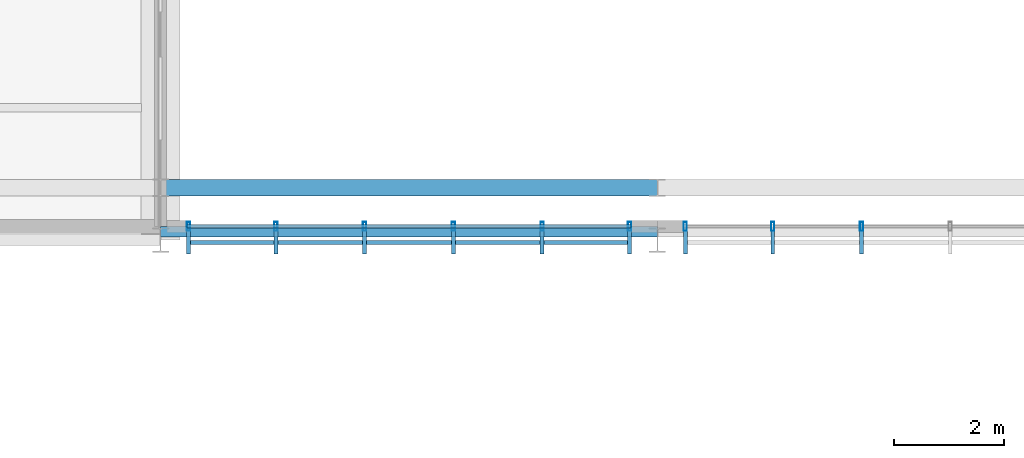
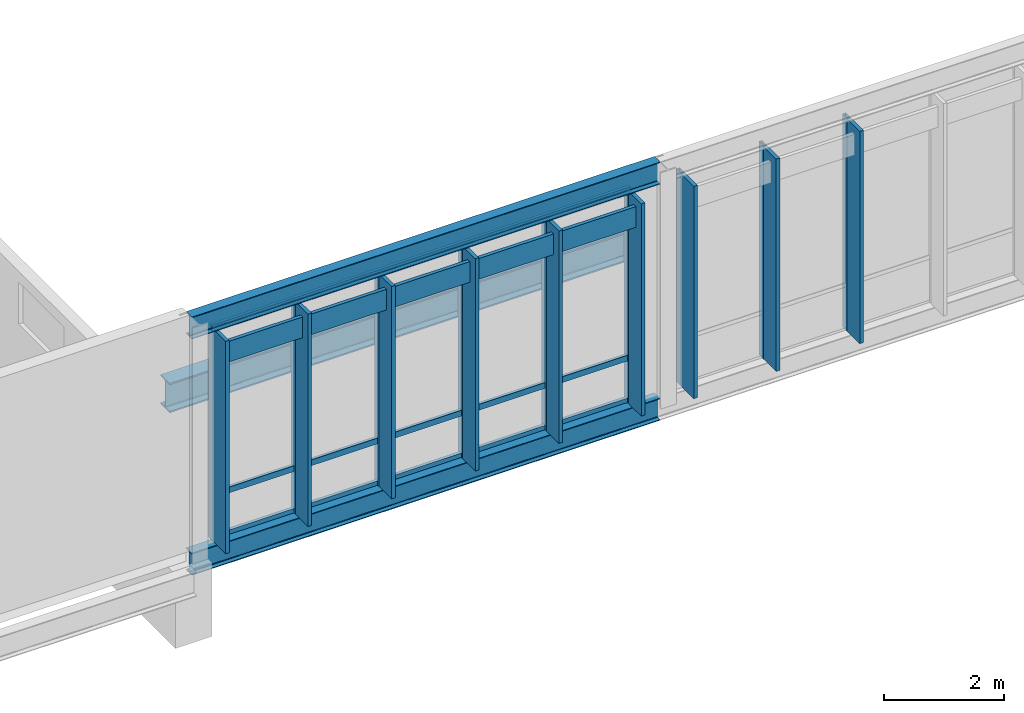
# One storey, part 93 of 177: 22 members, 3 beams, 2 elements without a shape of their own.
"""IFC4 building model written with IfcOpenShell, lengths in metres."""

from ifc_helpers import new_model, si_unit, direction, frame, origin, origin_2d, place, context, subcontext, project, spatial, rectangle, hollow_rectangle, i_section, extrude, material, material_profile, profile_set, type_object, element, aggregate, save


model = new_model("IFC4")

# Units and contexts
model_context = context("Model", 3, precision=1e-05, world=origin(), true_north=direction((0.0, 1.0)))
body_context = subcontext(model_context, "Body", "Model", "MODEL_VIEW")
ifc_project = project(units=[si_unit("LENGTHUNIT", "METRE"), si_unit("AREAUNIT", "SQUARE_METRE"), si_unit("VOLUMEUNIT", "CUBIC_METRE"), si_unit("PLANEANGLEUNIT", "RADIAN"), si_unit("MASSUNIT", "GRAM", prefix="KILO")], contexts=[model_context])

# Site, building, storey
site_placement = place(None, origin())
site = spatial("IfcSite", under=ifc_project, at=site_placement, CompositionType="ELEMENT")
building_placement = place(site_placement, origin())
building = spatial("IfcBuilding", under=site, at=building_placement, Name="Chiffa Square Polytechnic", CompositionType="ELEMENT")
storey_placement = place(building_placement, frame((0.0, 0.0, 4.800048828125)))
storey = spatial("IfcBuildingStorey", under=building, at=storey_placement, Name="L01", CompositionType="ELEMENT", Elevation=4.800048828125)

# Beams
ifc_material_1 = material(Name="Steel S355", Category="steel")
ifc_material_profile_1 = material_profile(ifc_material_1, i_section(OverallWidth=0.18994140625, OverallDepth=0.449951171875, WebThickness=0.009521484375, FlangeThickness=0.0146484375, FilletRadius=0.02099609375, at=origin_2d()), Name="IPE 450")
ifc_profile_set_1 = profile_set([ifc_material_profile_1], Name="Steel S355")
beam_type_1 = type_object("IfcBeamType", Name="BM-STL-IPE450", PredefinedType="BEAM", material=ifc_profile_set_1)
for number, where, z_axis, x_axis, name in (
    (1, (130.199951171875, 58.35009765625, -0.22509765625), (1.0, 0.0, 0.0), (0.0, 1.0, 0.0), "Workshop south clerestory sill girder BM-V2-STIE-L01-1"),
    (2, (130.199951171875, 58.35009765625, 4.574951171875), (1.0, 0.0, 0.0), (0.0, 1.0, 0.0), "Workshop south eave tie girder BM-V2-STIE-L02-1"),
):
    element("IfcBeam", number, at=place(storey_placement, frame(where, z_axis=z_axis, x_axis=x_axis)), inside=storey, type_object=beam_type_1, Name=name, PredefinedType="BEAM", context=body_context, shape_type="SweptSolid", body=[
        extrude(i_section(OverallWidth=0.18994140625, OverallDepth=0.449951171875, WebThickness=0.009521484375, FlangeThickness=0.0146484375, FilletRadius=0.02099609375, at=origin_2d()), origin(), (0.0, 0.0, 1.0), 9.0),
    ])
ifc_material_profile_2 = material_profile(ifc_material_1, i_section(OverallWidth=0.300048828125, OverallDepth=0.60009765625, WebThickness=0.015380859375, FlangeThickness=0.030029296875, FilletRadius=0.027099609375, at=origin_2d()), Name="HEB 600")
ifc_profile_set_2 = profile_set([ifc_material_profile_2], Name="Steel S355")
beam_type_2 = type_object("IfcBeamType", Name="CG-STL-HEB600", PredefinedType="USERDEFINED", material=ifc_profile_set_2)
beam_placement = place(storey_placement, frame((130.199951171875, 59.14990234375, 2.699951171875), z_axis=(1.0, 0.0, 0.0), x_axis=(0.0, 1.0, 0.0)))
element("IfcBeam", 3, at=beam_placement, inside=storey, type_object=beam_type_2, Name="Bridge crane runway girder CG-V2-L01-S03", ObjectType="CRANE GIRDER", PredefinedType="USERDEFINED", context=body_context, shape_type="SweptSolid", body=[
    extrude(i_section(OverallWidth=0.300048828125, OverallDepth=0.60009765625, WebThickness=0.015380859375, FlangeThickness=0.030029296875, FilletRadius=0.027099609375, at=origin_2d()), origin(), (0.0, 0.0, 1.0), 9.0),
])

# Curtain wall, members
ifc_material_2 = material(Name="Aluminium EN AW-6060 T66 and glulam shading", Category="wood")
curtain_wall_type_1 = type_object("IfcCurtainWallType", Name="CW-VERT-600X440", PredefinedType="USERDEFINED", material=ifc_material_2)
curtain_wall_1_placement = place(storey_placement, origin())
curtain_wall_1 = element("IfcCurtainWall", 4, at=curtain_wall_1_placement, inside=storey, type_object=curtain_wall_type_1, Name="Curtain wall CW-V2-L01S-01", ObjectType="CURTAIN WALL", PredefinedType="USERDEFINED")
ifc_material_3 = material(Name="Aluminium EN AW-6060 T66", Category="aluminium")
ifc_material_profile_3 = material_profile(ifc_material_3, hollow_rectangle(XDim=0.06005859375, YDim=0.159912109375, WallThickness=0.00390625, at=origin_2d()), Name="ALU 60x160x4")
ifc_profile_set_3 = profile_set([ifc_material_profile_3], Name="Aluminium EN AW-6060 T66")
member_type_1 = type_object("IfcMemberType", Name="CWM-ALU-65X150", PredefinedType="MULLION", material=ifc_profile_set_3)
member_1_placement = place(storey_placement, frame((130.705078125, 58.449951171875, 0.0), z_axis=(0.0, 0.0, 1.0), x_axis=(1.0, 0.0, 0.0)))
member_1 = element("IfcMember", 5, at=member_1_placement, type_object=member_type_1, Name="Curtain wall mullion CW-V2-L01S-01-M00", PredefinedType="MULLION", context=body_context, shape_type="SweptSolid", body=[
    extrude(hollow_rectangle(XDim=0.06005859375, YDim=0.159912109375, WallThickness=0.00390625, at=origin_2d()), origin(), (0.0, 0.0, 1.0), 4.3349609375),
])
member_2_placement = place(storey_placement, frame((132.2880859375, 58.449951171875, 0.0), z_axis=(0.0, 0.0, 1.0), x_axis=(1.0, 0.0, 0.0)))
member_2 = element("IfcMember", 6, at=member_2_placement, type_object=member_type_1, Name="Curtain wall mullion CW-V2-L01S-01-M01", PredefinedType="MULLION", context=body_context, shape_type="SweptSolid", body=[
    extrude(hollow_rectangle(XDim=0.06005859375, YDim=0.159912109375, WallThickness=0.00390625, at=origin_2d()), origin(), (0.0, 0.0, 1.0), 4.3349609375),
])
member_3_placement = place(storey_placement, frame((133.89599609375, 58.449951171875, 0.0), z_axis=(0.0, 0.0, 1.0), x_axis=(1.0, 0.0, 0.0)))
member_3 = element("IfcMember", 7, at=member_3_placement, type_object=member_type_1, Name="Curtain wall mullion CW-V2-L01S-01-M02", PredefinedType="MULLION", context=body_context, shape_type="SweptSolid", body=[
    extrude(hollow_rectangle(XDim=0.06005859375, YDim=0.159912109375, WallThickness=0.00390625, at=origin_2d()), origin(), (0.0, 0.0, 1.0), 4.3349609375),
])
member_4_placement = place(storey_placement, frame((135.50390625, 58.449951171875, 0.0), z_axis=(0.0, 0.0, 1.0), x_axis=(1.0, 0.0, 0.0)))
member_4 = element("IfcMember", 8, at=member_4_placement, type_object=member_type_1, Name="Curtain wall mullion CW-V2-L01S-01-M03", PredefinedType="MULLION", context=body_context, shape_type="SweptSolid", body=[
    extrude(hollow_rectangle(XDim=0.06005859375, YDim=0.159912109375, WallThickness=0.00390625, at=origin_2d()), origin(), (0.0, 0.0, 1.0), 4.3349609375),
])
member_5_placement = place(storey_placement, frame((137.112060546875, 58.449951171875, 0.0), z_axis=(0.0, 0.0, 1.0), x_axis=(1.0, 0.0, 0.0)))
member_5 = element("IfcMember", 9, at=member_5_placement, type_object=member_type_1, Name="Curtain wall mullion CW-V2-L01S-01-M04", PredefinedType="MULLION", context=body_context, shape_type="SweptSolid", body=[
    extrude(hollow_rectangle(XDim=0.06005859375, YDim=0.159912109375, WallThickness=0.00390625, at=origin_2d()), origin(), (0.0, 0.0, 1.0), 4.3349609375),
])
member_6_placement = place(storey_placement, frame((138.695068359375, 58.449951171875, 0.0), z_axis=(0.0, 0.0, 1.0), x_axis=(1.0, 0.0, 0.0)))
member_6 = element("IfcMember", 10, at=member_6_placement, type_object=member_type_1, Name="Curtain wall mullion CW-V2-L01S-01-M05", PredefinedType="MULLION", context=body_context, shape_type="SweptSolid", body=[
    extrude(hollow_rectangle(XDim=0.06005859375, YDim=0.159912109375, WallThickness=0.00390625, at=origin_2d()), origin(), (0.0, 0.0, 1.0), 4.3349609375),
])

curtain_wall_type_2 = type_object("IfcCurtainWallType", Name="CW-VERT-450X380", PredefinedType="USERDEFINED", material=ifc_material_2)
curtain_wall_2_placement = place(storey_placement, origin())
curtain_wall_2 = element("IfcCurtainWall", 11, at=curtain_wall_2_placement, inside=storey, type_object=curtain_wall_type_2, Name="Curtain wall CW-V2-L01S-02", ObjectType="CURTAIN WALL", PredefinedType="USERDEFINED")
member_7_placement = place(storey_placement, frame((139.705078125, 58.449951171875, 0.0), z_axis=(0.0, 0.0, 1.0), x_axis=(1.0, 0.0, 0.0)))
member_7 = element("IfcMember", 12, at=member_7_placement, type_object=member_type_1, Name="Curtain wall mullion CW-V2-L01S-02-M00", PredefinedType="MULLION", context=body_context, shape_type="SweptSolid", body=[
    extrude(hollow_rectangle(XDim=0.06005859375, YDim=0.159912109375, WallThickness=0.00390625, at=origin_2d()), origin(), (0.0, 0.0, 1.0), 4.3349609375),
])
member_8_placement = place(storey_placement, frame((141.2880859375, 58.449951171875, 0.0), z_axis=(0.0, 0.0, 1.0), x_axis=(1.0, 0.0, 0.0)))
member_8 = element("IfcMember", 13, at=member_8_placement, type_object=member_type_1, Name="Curtain wall mullion CW-V2-L01S-02-M01", PredefinedType="MULLION", context=body_context, shape_type="SweptSolid", body=[
    extrude(hollow_rectangle(XDim=0.06005859375, YDim=0.159912109375, WallThickness=0.00390625, at=origin_2d()), origin(), (0.0, 0.0, 1.0), 4.3349609375),
])
member_9_placement = place(storey_placement, frame((142.89599609375, 58.449951171875, 0.0), z_axis=(0.0, 0.0, 1.0), x_axis=(1.0, 0.0, 0.0)))
member_9 = element("IfcMember", 14, at=member_9_placement, type_object=member_type_1, Name="Curtain wall mullion CW-V2-L01S-02-M02", PredefinedType="MULLION", context=body_context, shape_type="SweptSolid", body=[
    extrude(hollow_rectangle(XDim=0.06005859375, YDim=0.159912109375, WallThickness=0.00390625, at=origin_2d()), origin(), (0.0, 0.0, 1.0), 4.3349609375),
])

# Member
ifc_material_4 = material(Name="Glulam GL28h", Category="wood")
ifc_material_profile_4 = material_profile(ifc_material_4, rectangle(XDim=0.070068359375, YDim=0.419921875, at=origin_2d()), Name="GL28h 70x420")
ifc_profile_set_4 = profile_set([ifc_material_profile_4], Name="Glulam GL28h")
member_type_2 = type_object("IfcMemberType", Name="CWM-GL-70X420", PredefinedType="MULLION", material=ifc_profile_set_4)
member_10_placement = place(storey_placement, frame((130.705078125, 58.157958984375, 0.010009765625), z_axis=(0.0, 0.0, 1.0), x_axis=(1.0, 0.0, 0.0)))
member_10 = element("IfcMember", 15, at=member_10_placement, type_object=member_type_2, Name="Exterior glulam solar fin CW-V2-L01S-01-FN00", PredefinedType="MULLION", context=body_context, shape_type="SweptSolid", body=[
    extrude(rectangle(XDim=0.070068359375, YDim=0.419921875, at=origin_2d()), origin(), (0.0, 0.0, 1.0), 4.31494140625),
])

member_11_placement = place(storey_placement, frame((132.2880859375, 58.157958984375, 0.010009765625), z_axis=(0.0, 0.0, 1.0), x_axis=(1.0, 0.0, 0.0)))
member_11 = element("IfcMember", 16, at=member_11_placement, type_object=member_type_2, Name="Exterior glulam solar fin CW-V2-L01S-01-FN01", PredefinedType="MULLION", context=body_context, shape_type="SweptSolid", body=[
    extrude(rectangle(XDim=0.070068359375, YDim=0.419921875, at=origin_2d()), origin(), (0.0, 0.0, 1.0), 4.31494140625),
])

member_12_placement = place(storey_placement, frame((133.89599609375, 58.157958984375, 0.010009765625), z_axis=(0.0, 0.0, 1.0), x_axis=(1.0, 0.0, 0.0)))
member_12 = element("IfcMember", 17, at=member_12_placement, type_object=member_type_2, Name="Exterior glulam solar fin CW-V2-L01S-01-FN02", PredefinedType="MULLION", context=body_context, shape_type="SweptSolid", body=[
    extrude(rectangle(XDim=0.070068359375, YDim=0.419921875, at=origin_2d()), origin(), (0.0, 0.0, 1.0), 4.31494140625),
])

member_13_placement = place(storey_placement, frame((135.50390625, 58.157958984375, 0.010009765625), z_axis=(0.0, 0.0, 1.0), x_axis=(1.0, 0.0, 0.0)))
member_13 = element("IfcMember", 18, at=member_13_placement, type_object=member_type_2, Name="Exterior glulam solar fin CW-V2-L01S-01-FN03", PredefinedType="MULLION", context=body_context, shape_type="SweptSolid", body=[
    extrude(rectangle(XDim=0.070068359375, YDim=0.419921875, at=origin_2d()), origin(), (0.0, 0.0, 1.0), 4.31494140625),
])

member_14_placement = place(storey_placement, frame((137.112060546875, 58.157958984375, 0.010009765625), z_axis=(0.0, 0.0, 1.0), x_axis=(1.0, 0.0, 0.0)))
member_14 = element("IfcMember", 19, at=member_14_placement, type_object=member_type_2, Name="Exterior glulam solar fin CW-V2-L01S-01-FN04", PredefinedType="MULLION", context=body_context, shape_type="SweptSolid", body=[
    extrude(rectangle(XDim=0.070068359375, YDim=0.419921875, at=origin_2d()), origin(), (0.0, 0.0, 1.0), 4.31494140625),
])

member_15_placement = place(storey_placement, frame((138.695068359375, 58.157958984375, 0.010009765625), z_axis=(0.0, 0.0, 1.0), x_axis=(1.0, 0.0, 0.0)))
member_15 = element("IfcMember", 20, at=member_15_placement, type_object=member_type_2, Name="Exterior glulam solar fin CW-V2-L01S-01-FN05", PredefinedType="MULLION", context=body_context, shape_type="SweptSolid", body=[
    extrude(rectangle(XDim=0.070068359375, YDim=0.419921875, at=origin_2d()), origin(), (0.0, 0.0, 1.0), 4.31494140625),
])

member_16_placement = place(storey_placement, frame((139.705078125, 58.157958984375, 0.010009765625), z_axis=(0.0, 0.0, 1.0), x_axis=(1.0, 0.0, 0.0)))
member_16 = element("IfcMember", 21, at=member_16_placement, type_object=member_type_2, Name="Exterior glulam solar fin CW-V2-L01S-02-FN00", PredefinedType="MULLION", context=body_context, shape_type="SweptSolid", body=[
    extrude(rectangle(XDim=0.070068359375, YDim=0.419921875, at=origin_2d()), origin(), (0.0, 0.0, 1.0), 4.31494140625),
])

member_17_placement = place(storey_placement, frame((141.2880859375, 58.157958984375, 0.010009765625), z_axis=(0.0, 0.0, 1.0), x_axis=(1.0, 0.0, 0.0)))
member_17 = element("IfcMember", 22, at=member_17_placement, type_object=member_type_2, Name="Exterior glulam solar fin CW-V2-L01S-02-FN01", PredefinedType="MULLION", context=body_context, shape_type="SweptSolid", body=[
    extrude(rectangle(XDim=0.070068359375, YDim=0.419921875, at=origin_2d()), origin(), (0.0, 0.0, 1.0), 4.31494140625),
])

member_18_placement = place(storey_placement, frame((142.89599609375, 58.157958984375, 0.010009765625), z_axis=(0.0, 0.0, 1.0), x_axis=(1.0, 0.0, 0.0)))
member_18 = element("IfcMember", 23, at=member_18_placement, type_object=member_type_2, Name="Exterior glulam solar fin CW-V2-L01S-02-FN02", PredefinedType="MULLION", context=body_context, shape_type="SweptSolid", body=[
    extrude(rectangle(XDim=0.070068359375, YDim=0.419921875, at=origin_2d()), origin(), (0.0, 0.0, 1.0), 4.31494140625),
])

aggregate(curtain_wall_2, [member_7, member_16, member_8, member_17, member_9, member_18])

ifc_material_profile_5 = material_profile(ifc_material_3, hollow_rectangle(XDim=0.06005859375, YDim=0.1201171875, WallThickness=0.00390625, at=origin_2d()), Name="ALU 60x120x4")
ifc_profile_set_5 = profile_set([ifc_material_profile_5], Name="Aluminium EN AW-6060 T66")
member_type_3 = type_object("IfcMemberType", Name="CWT-ALU-65X120", PredefinedType="USERDEFINED", material=ifc_profile_set_5)
member_19_placement = place(storey_placement, frame((130.677978515625, 58.449951171875, 0.030029296875), z_axis=(1.0, 0.0, 0.0), x_axis=(0.0, 1.0, 0.0)))
member_19 = element("IfcMember", 24, at=member_19_placement, type_object=member_type_3, Name="Curtain wall transom CW-V2-L01S-01-T01", ObjectType="TRANSOM", PredefinedType="USERDEFINED", context=body_context, shape_type="SweptSolid", body=[
    extrude(hollow_rectangle(XDim=0.06005859375, YDim=0.1201171875, WallThickness=0.00390625, at=origin_2d()), origin(), (0.0, 0.0, 1.0), 8.0439453125),
])

member_20_placement = place(storey_placement, frame((130.677978515625, 58.449951171875, 0.89990234375), z_axis=(1.0, 0.0, 0.0), x_axis=(0.0, 1.0, 0.0)))
member_20 = element("IfcMember", 25, at=member_20_placement, type_object=member_type_3, Name="Curtain wall transom CW-V2-L01S-01-T02", ObjectType="TRANSOM", PredefinedType="USERDEFINED", context=body_context, shape_type="SweptSolid", body=[
    extrude(hollow_rectangle(XDim=0.06005859375, YDim=0.1201171875, WallThickness=0.00390625, at=origin_2d()), origin(), (0.0, 0.0, 1.0), 8.0439453125),
])

member_21_placement = place(storey_placement, frame((130.677978515625, 58.449951171875, 4.304931640625), z_axis=(1.0, 0.0, 0.0), x_axis=(0.0, 1.0, 0.0)))
member_21 = element("IfcMember", 26, at=member_21_placement, type_object=member_type_3, Name="Curtain wall transom CW-V2-L01S-01-T03", ObjectType="TRANSOM", PredefinedType="USERDEFINED", context=body_context, shape_type="SweptSolid", body=[
    extrude(hollow_rectangle(XDim=0.06005859375, YDim=0.1201171875, WallThickness=0.00390625, at=origin_2d()), origin(), (0.0, 0.0, 1.0), 8.0439453125),
])

ifc_material_profile_6 = material_profile(ifc_material_4, rectangle(XDim=0.070068359375, YDim=0.419921875, at=origin_2d()), Name="GL28h 70x420")
ifc_profile_set_6 = profile_set([ifc_material_profile_6], Name="Glulam GL28h")
member_type_4 = type_object("IfcMemberType", Name="CWT-GL-70X420", PredefinedType="USERDEFINED", material=ifc_profile_set_6)
member_22_placement = place(storey_placement, frame((130.705078125, 58.157958984375, 3.954833984375), z_axis=(1.0, 0.0, 0.0), x_axis=(0.0, 1.0, 0.0)))
member_22 = element("IfcMember", 27, at=member_22_placement, type_object=member_type_4, Name="Exterior glulam brise-soleil CW-V2-L01S-01-BS01", ObjectType="TRANSOM", PredefinedType="USERDEFINED", context=body_context, shape_type="SweptSolid", body=[
    extrude(rectangle(XDim=0.070068359375, YDim=0.419921875, at=origin_2d()), origin(), (0.0, 0.0, 1.0), 7.989990234375),
])

aggregate(curtain_wall_1, [member_1, member_10, member_2, member_11, member_3, member_12, member_4, member_13, member_5, member_14, member_6, member_15, member_19, member_20, member_21, member_22])

save(model, "model.ifc")
